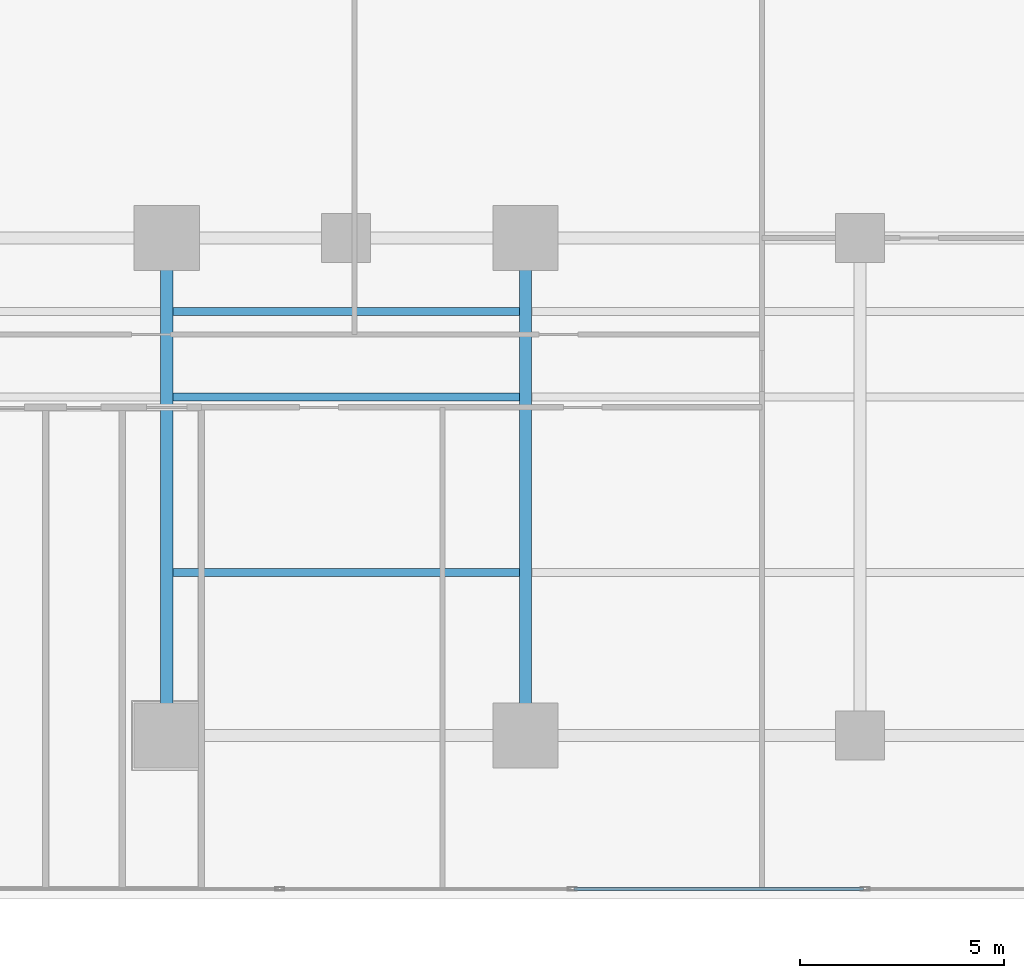
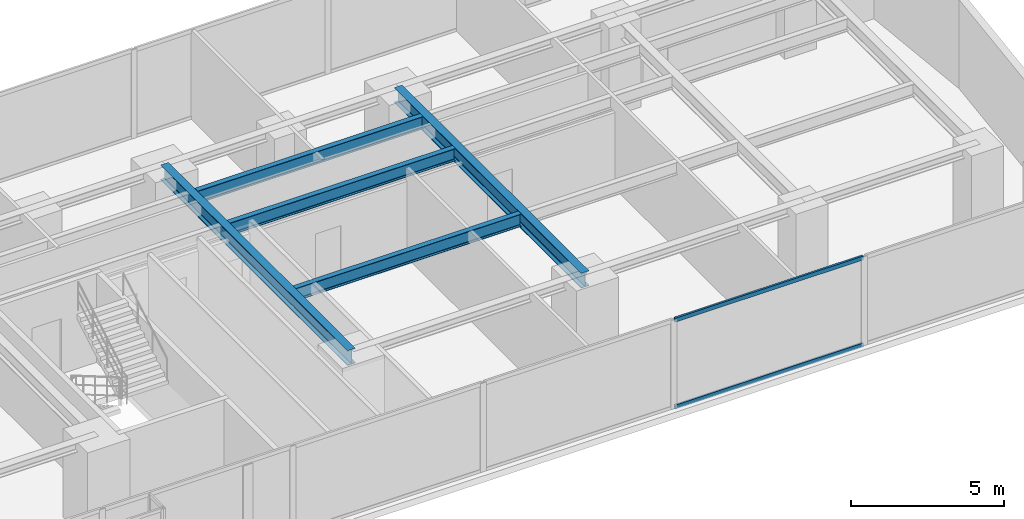
# One storey, part 10 of 28: 5 beams, 2 members, 1 element without a shape of its own.
"""IFC4 building model written with IfcOpenShell, lengths in metres."""

from ifc_helpers import new_model, si_unit, direction, frame, origin, origin_with_axes, origin_2d, place, context, subcontext, project, spatial, hollow_rectangle, i_section, extrude, source, transform, mapped, material, layer, layer_set, material_profile, profile_set, type_object, element, aggregate, save


model = new_model("IFC4")

# Units and contexts
model_context = context("Model", 3, precision=1e-05, world=origin(), true_north=direction((0.0, 1.0)))
body_context = subcontext(model_context, "Body", "Model", "MODEL_VIEW")
ifc_project = project(units=[si_unit("LENGTHUNIT", "METRE"), si_unit("AREAUNIT", "SQUARE_METRE"), si_unit("VOLUMEUNIT", "CUBIC_METRE"), si_unit("PLANEANGLEUNIT", "RADIAN"), si_unit("MASSUNIT", "GRAM", prefix="KILO")], contexts=[model_context])

# Site, building, storey
site_placement = place(None, origin())
site = spatial("IfcSite", under=ifc_project, at=site_placement, CompositionType="ELEMENT")
building_placement = place(site_placement, origin())
building = spatial("IfcBuilding", under=site, at=building_placement, Name="Kolvaren Waterfront Exchange", CompositionType="ELEMENT")
storey_placement = place(building_placement, frame((0.0, 0.0, 75.199951171875)))
storey = spatial("IfcBuildingStorey", under=building, at=storey_placement, Name="L19", CompositionType="ELEMENT", Elevation=75.199951171875)

# Beams
ifc_material_1 = material(Name="Steel S355", Category="steel")
ifc_material_profile_1 = material_profile(ifc_material_1, i_section(OverallWidth=0.300048828125, OverallDepth=0.60009765625, WebThickness=0.015380859375, FlangeThickness=0.030029296875, FilletRadius=0.027099609375, at=origin_2d()), Name="HEB600")
ifc_profile_set_1 = profile_set([ifc_material_profile_1], Name="Steel S355")
beam_type_1 = type_object("IfcBeamType", Name="STR-BM-HEB600", PredefinedType="BEAM", material=ifc_profile_set_1)
for number, where, z_axis, x_axis, name in (
    (1, (36.800048828125, 5.199951171875, 3.239990234375), (0.0, 1.0, 0.0), (-1.0, 0.0, 0.0), "L19 east-arm transverse girder X36"),
    (2, (45.60009765625, 5.199951171875, 3.239990234375), (0.0, 1.0, 0.0), (-1.0, 0.0, 0.0), "L19 east-arm transverse girder X45"),
):
    element("IfcBeam", number, at=place(storey_placement, frame(where, z_axis=z_axis, x_axis=x_axis)), inside=storey, type_object=beam_type_1, Name=name, PredefinedType="BEAM", context=body_context, shape_type="SweptSolid", body=[
        extrude(i_section(OverallWidth=0.300048828125, OverallDepth=0.60009765625, WebThickness=0.015380859375, FlangeThickness=0.030029296875, FilletRadius=0.027099609375, at=origin_2d()), origin(), (0.0, 0.0, 1.0), 12.199951171875),
    ])
ifc_material_profile_2 = material_profile(ifc_material_1, i_section(OverallWidth=0.199951171875, OverallDepth=0.5, WebThickness=0.01025390625, FlangeThickness=0.01611328125, FilletRadius=0.02099609375, at=origin_2d()), Name="IPE500")
ifc_profile_set_2 = profile_set([ifc_material_profile_2], Name="Steel S355")
beam_type_2 = type_object("IfcBeamType", Name="STR-BM-IPE500", PredefinedType="JOIST", material=ifc_profile_set_2)
for number, where, z_axis, x_axis, name in (
    (3, (36.951904296875, 13.5, 3.2900390625), (1.0, 0.0, 0.0), (0.0, 1.0, 0.0), "L19 east-arm composite joist 3A"),
    (4, (36.951904296875, 15.60009765625, 3.2900390625), (1.0, 0.0, 0.0), (0.0, 1.0, 0.0), "L19 east-arm composite joist 3C"),
    (5, (36.951904296875, 9.199951171875, 3.2900390625), (1.0, 0.0, 0.0), (0.0, 1.0, 0.0), "L19 east-arm composite joist 3B"),
):
    element("IfcBeam", number, at=place(storey_placement, frame(where, z_axis=z_axis, x_axis=x_axis)), inside=storey, type_object=beam_type_2, Name=name, PredefinedType="JOIST", context=body_context, shape_type="SweptSolid", body=[
        extrude(i_section(OverallWidth=0.199951171875, OverallDepth=0.5, WebThickness=0.01025390625, FlangeThickness=0.01611328125, FilletRadius=0.02099609375, at=origin_2d()), origin(), (0.0, 0.0, 1.0), 8.49609375),
    ])

# Curtain wall, members
ifc_material_2 = material(Name="Anodised bronze aluminium 6063-T6", Category="aluminium")
ifc_layer = layer(ifc_material_2, 0.219970703125, Name="Anodised bronze aluminium 6063-T6")
ifc_layer_set = layer_set([ifc_layer], Name="Anodised bronze aluminium 6063-T6")
curtain_wall_type = type_object("IfcCurtainWallType", Name="ARC-CW-SYS1", PredefinedType="USERDEFINED", material=ifc_layer_set)
curtain_wall_placement = place(storey_placement, origin())
curtain_wall = element("IfcCurtainWall", 6, at=curtain_wall_placement, inside=storey, type_object=curtain_wall_type, Name="L19 stick curtain wall CW1 (CW-L19-S)", ObjectType="STICK CURTAIN WALL", PredefinedType="USERDEFINED")
ifc_material_3 = material(Name="Anodised aluminium 6063-T6", Category="aluminium")
ifc_material_profile_3 = material_profile(ifc_material_3, hollow_rectangle(XDim=0.074951171875, YDim=0.159912109375, WallThickness=0.00439453125, at=origin_2d()), Name="ALU-TRN-160x75x4.5")
ifc_profile_set_3 = profile_set([ifc_material_profile_3], Name="Anodised aluminium 6063-T6")
member_type = type_object("IfcMemberType", Name="ARC-CWT-160", PredefinedType="USERDEFINED", material=ifc_profile_set_3)
shared_shape = source(origin_with_axes(), body_context, "Body", "SweptSolid", [
    extrude(hollow_rectangle(XDim=0.074951171875, YDim=0.159912109375, WallThickness=0.00439453125, at=origin_2d()), origin(), (0.0, 0.0, 1.0), 7.094970703125),
])
member_1_placement = place(storey_placement, frame((46.7900390625, 1.43994140625, 0.03759765625), z_axis=(1.0, 0.0, 0.0), x_axis=(0.0, 1.0, 0.0)))
member_1 = element("IfcMember", 7, at=member_1_placement, type_object=member_type, Name="CW1 transom 7.1", ObjectType="TRANSOM", PredefinedType="USERDEFINED", context=body_context, shape_type="MappedRepresentation", body=[
    mapped(shared_shape, transform((0.0, 0.0, 0.0), x_axis=(1.0, 0.0, 0.0), y_axis=(0.0, 1.0, 0.0), z_axis=(0.0, 0.0, 1.0), scale=1.0)),
])
member_2_placement = place(storey_placement, frame((46.7900390625, 1.43994140625, 3.50244140625), z_axis=(1.0, 0.0, 0.0), x_axis=(0.0, 1.0, 0.0)))
member_2 = element("IfcMember", 8, at=member_2_placement, type_object=member_type, Name="CW1 transom 7.2", ObjectType="TRANSOM", PredefinedType="USERDEFINED", context=body_context, shape_type="MappedRepresentation", body=[
    mapped(shared_shape, transform((0.0, 0.0, 0.0), x_axis=(1.0, 0.0, 0.0), y_axis=(0.0, 1.0, 0.0), z_axis=(0.0, 0.0, 1.0), scale=1.0)),
])
aggregate(curtain_wall, [member_1, member_2])

save(model, "model.ifc")
